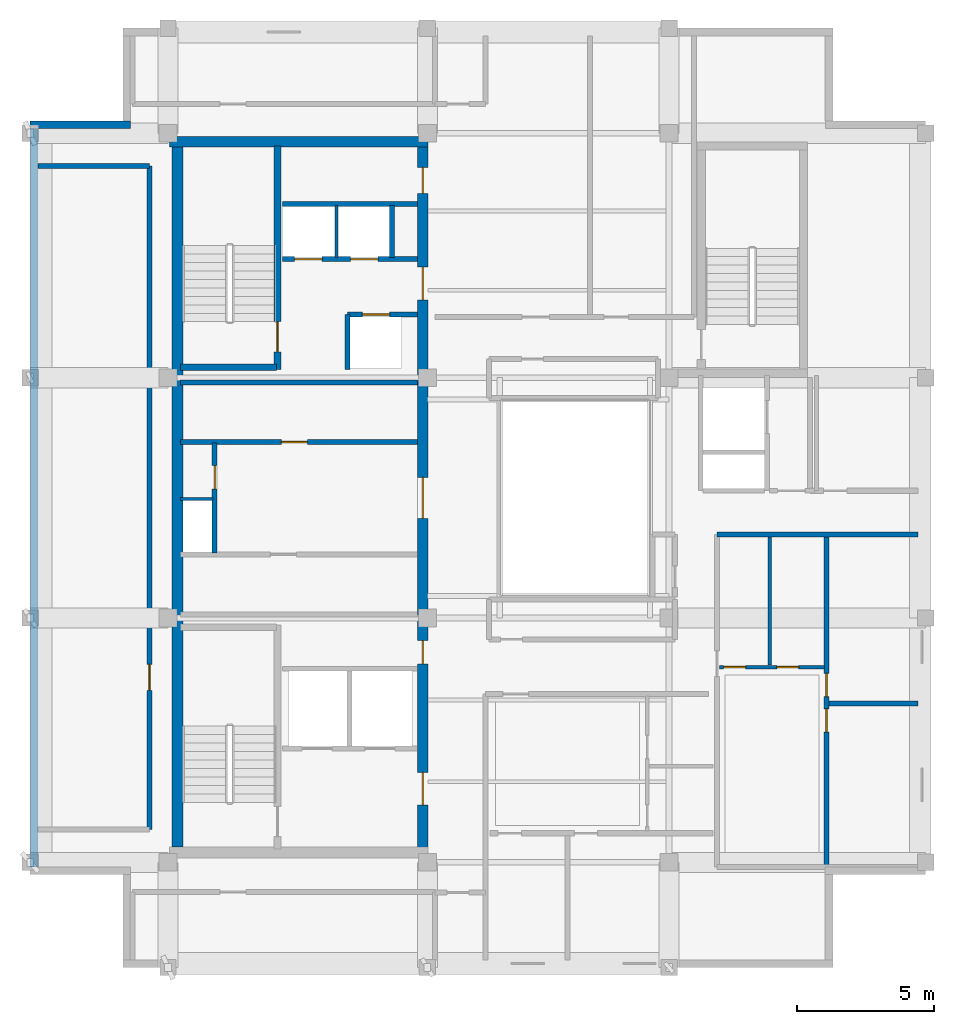
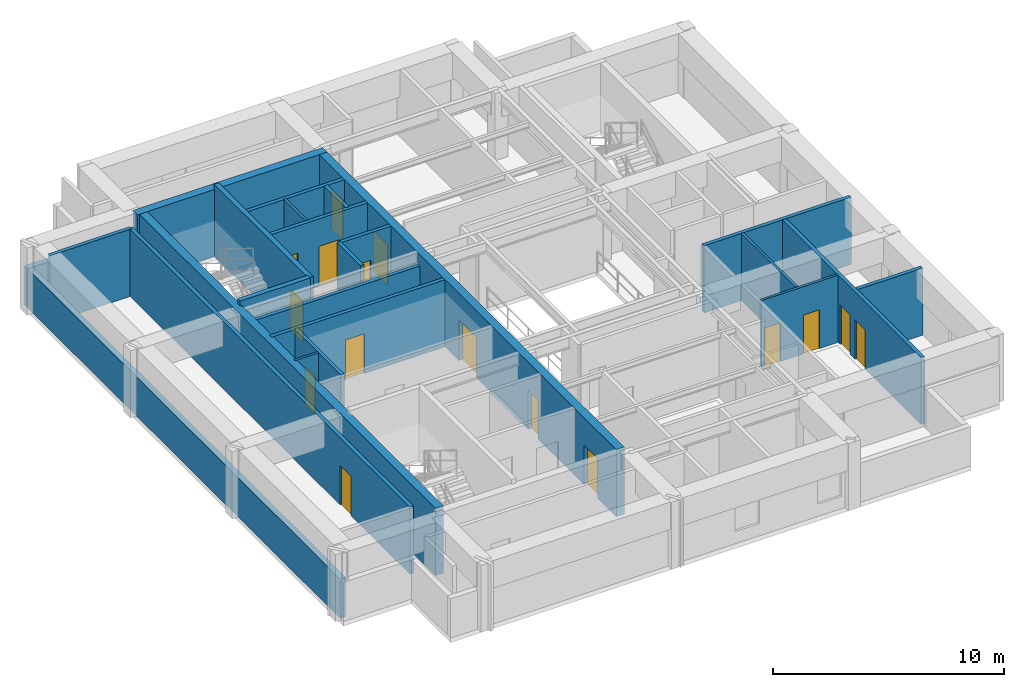
# One storey, part 3 of 6: 24 walls, 16 doors, 16 openings.
"""IFC4 building model written with IfcOpenShell, lengths in metres."""

from ifc_helpers import new_model, si_unit, direction, frame, frame_2d, origin, place, context, subcontext, project, spatial, rectangle, extrude, material, layer, layer_set, type_object, element, fill, save


model = new_model("IFC4")

# Units and contexts
model_context = context("Model", 3, precision=1e-05, world=origin(), true_north=direction((0.0, 1.0)))
body_context = subcontext(model_context, "Body", "Model", "MODEL_VIEW")
ifc_project = project(units=[si_unit("LENGTHUNIT", "METRE"), si_unit("AREAUNIT", "SQUARE_METRE"), si_unit("VOLUMEUNIT", "CUBIC_METRE"), si_unit("PLANEANGLEUNIT", "RADIAN"), si_unit("MASSUNIT", "GRAM", prefix="KILO")], contexts=[model_context])

# Site, building, storey
site_placement = place(None, origin())
site = spatial("IfcSite", under=ifc_project, at=site_placement, CompositionType="ELEMENT")
building_placement = place(site_placement, origin())
building = spatial("IfcBuilding", under=site, at=building_placement, Name="Kundavana Baori Tower", CompositionType="ELEMENT")
storey_placement = place(building_placement, frame((0.0, 0.0, 339.10009765625)))
storey = spatial("IfcBuildingStorey", under=building, at=storey_placement, Name="L84", CompositionType="ELEMENT", Elevation=339.10009765625)

# Walls
ifc_material_1 = material(Name="Concrete C50/60", Category="concrete")
ifc_layer_1 = layer(ifc_material_1, 0.39990234375, Name="WL-CORE-400")
ifc_layer_set_1 = layer_set([ifc_layer_1], Name="Concrete C50/60")
wall_type_1 = type_object("IfcWallType", Name="WL-CORE-400", PredefinedType="SHEAR", material=ifc_layer_set_1)
wall_1_placement = place(storey_placement, frame((15.5, 41.639892578125, 0.0), z_axis=(0.0, 0.0, 1.0), x_axis=(1.0, 0.0, 0.0)))
element("IfcWall", 1, at=wall_1_placement, inside=storey, type_object=wall_type_1, Name="L84 Offset Core North Shear Wall", PredefinedType="SHEAR", context=body_context, shape_type="SweptSolid", body=[
    extrude(rectangle(XDim=9.47998046875, YDim=0.39990234375, at=frame_2d((4.739990234375, 0.0))), origin(), (0.0, 0.0, 1.0), 3.5498046875),
])
wall_2_placement = place(storey_placement, frame((15.7900390625, 15.81005859375, 0.0), z_axis=(0.0, 0.0, 1.0), x_axis=(0.0, 1.0, 0.0)))
element("IfcWall", 2, at=wall_2_placement, inside=storey, type_object=wall_type_1, Name="L84 Offset Core West Shear Wall", PredefinedType="SHEAR", context=body_context, shape_type="SweptSolid", body=[
    extrude(rectangle(XDim=25.6298828125, YDim=0.39990234375, at=frame_2d((12.81494140625, 0.0))), origin(), (0.0, 0.0, 1.0), 3.5498046875),
])

# Wall, openings, doors
wall_3_placement = place(storey_placement, frame((24.780029296875, 15.739990234375, 0.0), z_axis=(0.0, 0.0, 1.0), x_axis=(0.0, 1.0, 0.0)))
wall_3 = element("IfcWall", 3, at=wall_3_placement, inside=storey, type_object=wall_type_1, Name="L84 Offset Core East Shear Wall", PredefinedType="SHEAR", context=body_context, shape_type="SweptSolid", body=[
    extrude(rectangle(XDim=25.760009765625, YDim=0.39990234375, at=frame_2d((12.8798828125, 0.0))), origin(), (0.0, 0.0, 1.0), 3.5498046875),
])
opening_1_placement = place(wall_3_placement, frame((1.610107421875, 0.0, 0.0)))
opening_1 = element("IfcOpeningElement", 4, at=opening_1_placement, cuts=wall_3, Name="Opening FD-120", PredefinedType="OPENING", context=body_context, shape_type="SweptSolid", body=[
    extrude(rectangle(XDim=1.199951171875, YDim=2.10009765625, at=frame_2d((0.60009765625, 1.050048828125))), frame((0.0, 0.2099609375, 0.0), z_axis=(0.0, -1.0, 0.0), x_axis=(1.0, 0.0, 0.0)), (0.0, 0.0, 1.0), 0.419921875),
])
opening_2_placement = place(wall_3_placement, frame((6.780029296875, 0.0, 0.0)))
opening_2 = element("IfcOpeningElement", 5, at=opening_2_placement, cuts=wall_3, Name="Opening FD-085", PredefinedType="OPENING", context=body_context, shape_type="SweptSolid", body=[
    extrude(rectangle(XDim=0.85009765625, YDim=2.06005859375, at=frame_2d((0.425048828125, 1.030029296875))), frame((0.0, 0.2099609375, 0.0), z_axis=(0.0, -1.0, 0.0), x_axis=(1.0, 0.0, 0.0)), (0.0, 0.0, 1.0), 0.419921875),
])
opening_3_placement = place(wall_3_placement, frame((12.110107421875, 0.0, 0.0)))
opening_3 = element("IfcOpeningElement", 6, at=opening_3_placement, cuts=wall_3, Name="Opening FD-150", PredefinedType="OPENING", context=body_context, shape_type="SweptSolid", body=[
    extrude(rectangle(XDim=1.5, YDim=2.1201171875, at=frame_2d((0.75, 1.06005859375))), frame((0.0, 0.2099609375, 0.0), z_axis=(0.0, -1.0, 0.0), x_axis=(1.0, 0.0, 0.0)), (0.0, 0.0, 1.0), 0.419921875),
])
opening_4_placement = place(wall_3_placement, frame((20.110107421875, 0.0, 0.0)))
opening_4 = element("IfcOpeningElement", 7, at=opening_4_placement, cuts=wall_3, Name="Opening FD-122", PredefinedType="OPENING", context=body_context, shape_type="SweptSolid", body=[
    extrude(rectangle(XDim=1.199951171875, YDim=2.1201171875, at=frame_2d((0.60009765625, 1.06005859375))), frame((0.0, 0.2099609375, 0.0), z_axis=(0.0, -1.0, 0.0), x_axis=(1.0, 0.0, 0.0)), (0.0, 0.0, 1.0), 0.419921875),
])
opening_5_placement = place(wall_3_placement, frame((24.010009765625, 0.0, 0.0)))
opening_5 = element("IfcOpeningElement", 8, at=opening_5_placement, cuts=wall_3, Name="Opening FD-095", PredefinedType="OPENING", context=body_context, shape_type="SweptSolid", body=[
    extrude(rectangle(XDim=0.949951171875, YDim=2.10009765625, at=frame_2d((0.47509765625, 1.050048828125))), frame((0.0, 0.2099609375, 0.0), z_axis=(0.0, -1.0, 0.0), x_axis=(1.0, 0.0, 0.0)), (0.0, 0.0, 1.0), 0.419921875),
])
ifc_material_2 = material(Name="Galvanised Steel Fire-Rated Door Leaf", Category="steel")
door_type_1 = type_object("IfcDoorType", Name="DR-FD120-1200", OperationType="NOTDEFINED", PredefinedType="DOOR", material=ifc_material_2)
door_1_placement = place(opening_1_placement, frame((1.199951171875, 0.0, 0.0), z_axis=(0.0, 0.0, 1.0), x_axis=(-1.0, 0.0, 0.0)))
door_1 = element("IfcDoor", 9, at=door_1_placement, inside=storey, type_object=door_type_1, Name="DR-L84-FFLOB-E", OperationType="SINGLE_SWING_RIGHT", OverallHeight=2.10009765625, OverallWidth=1.199951171875, PredefinedType="DOOR", context=body_context, shape_type="SweptSolid", body=[
    extrude(rectangle(XDim=1.199951171875, YDim=2.10009765625, at=frame_2d((0.60009765625, 1.050048828125))), frame((0.0, 0.02490234375, 0.0), z_axis=(0.0, -1.0, 0.0), x_axis=(1.0, 0.0, 0.0)), (0.0, 0.0, 1.0), 0.050048828125),
])
fill(opening_1, door_1)
ifc_material_3 = material(Name="Galvanised Steel Fire-Rated Door Leaf", Category="steel")
door_type_2 = type_object("IfcDoorType", Name="DR-FD60-1200", OperationType="NOTDEFINED", PredefinedType="DOOR", material=ifc_material_3)
door_2_placement = place(opening_4_placement, frame((1.199951171875, 0.0, 0.0), z_axis=(0.0, 0.0, 1.0), x_axis=(-1.0, 0.0, 0.0)))
door_2 = element("IfcDoor", 10, at=door_2_placement, inside=storey, type_object=door_type_2, Name="DR-L84-HRLOB-E", OperationType="SINGLE_SWING_RIGHT", OverallHeight=2.1201171875, OverallWidth=1.199951171875, PredefinedType="DOOR", context=body_context, shape_type="SweptSolid", body=[
    extrude(rectangle(XDim=1.199951171875, YDim=2.1201171875, at=frame_2d((0.60009765625, 1.06005859375))), frame((0.0, 0.02490234375, 0.0), z_axis=(0.0, -1.0, 0.0), x_axis=(1.0, 0.0, 0.0)), (0.0, 0.0, 1.0), 0.050048828125),
])
fill(opening_4, door_2)
ifc_material_4 = material(Name="Galvanised Steel Fire-Rated Door Leaf", Category="steel")
door_type_3 = type_object("IfcDoorType", Name="DR-FD60-1500", OperationType="NOTDEFINED", PredefinedType="DOOR", material=ifc_material_4)
door_3_placement = place(opening_3_placement, frame((1.5, 0.0, 0.0), z_axis=(0.0, 0.0, 1.0), x_axis=(-1.0, 0.0, 0.0)))
door_3 = element("IfcDoor", 11, at=door_3_placement, inside=storey, type_object=door_type_3, Name="DR-L84-LIFTHALL-E", OperationType="SINGLE_SWING_LEFT", OverallHeight=2.1201171875, OverallWidth=1.5, PredefinedType="DOOR", context=body_context, shape_type="SweptSolid", body=[
    extrude(rectangle(XDim=1.5, YDim=2.1201171875, at=frame_2d((0.75, 1.06005859375))), frame((0.0, 0.02490234375, 0.0), z_axis=(0.0, -1.0, 0.0), x_axis=(1.0, 0.0, 0.0)), (0.0, 0.0, 1.0), 0.050048828125),
])
fill(opening_3, door_3)
ifc_material_5 = material(Name="Galvanised Steel Fire-Rated Door Leaf", Category="steel")
door_type_4 = type_object("IfcDoorType", Name="DR-FD60-850", OperationType="NOTDEFINED", PredefinedType="DOOR", material=ifc_material_5)
door_4_placement = place(opening_2_placement, frame((0.85009765625, 0.0, 0.0), z_axis=(0.0, 0.0, 1.0), x_axis=(-1.0, 0.0, 0.0)))
door_4 = element("IfcDoor", 12, at=door_4_placement, inside=storey, type_object=door_type_4, Name="DR-L84-CSMK1", OperationType="SINGLE_SWING_LEFT", OverallHeight=2.06005859375, OverallWidth=0.85009765625, PredefinedType="DOOR", context=body_context, shape_type="SweptSolid", body=[
    extrude(rectangle(XDim=0.85009765625, YDim=2.06005859375, at=frame_2d((0.425048828125, 1.030029296875))), frame((0.0, 0.02490234375, 0.0), z_axis=(0.0, -1.0, 0.0), x_axis=(1.0, 0.0, 0.0)), (0.0, 0.0, 1.0), 0.050048828125),
])
fill(opening_2, door_4)
ifc_material_6 = material(Name="Engineered Teak Fire-Rated Timber Door Leaf", Category="wood")
door_type_5 = type_object("IfcDoorType", Name="DR-FD60-950", OperationType="NOTDEFINED", PredefinedType="DOOR", material=ifc_material_6)
door_5_placement = place(opening_5_placement, frame((0.949951171875, 0.0, 0.0), z_axis=(0.0, 0.0, 1.0), x_axis=(-1.0, 0.0, 0.0)))
door_5 = element("IfcDoor", 13, at=door_5_placement, inside=storey, type_object=door_type_5, Name="DR-L84-CSRV1", OperationType="SINGLE_SWING_LEFT", OverallHeight=2.10009765625, OverallWidth=0.949951171875, PredefinedType="DOOR", context=body_context, shape_type="SweptSolid", body=[
    extrude(rectangle(XDim=0.949951171875, YDim=2.10009765625, at=frame_2d((0.47509765625, 1.050048828125))), frame((0.0, 0.02490234375, 0.0), z_axis=(0.0, -1.0, 0.0), x_axis=(1.0, 0.0, 0.0)), (0.0, 0.0, 1.0), 0.050048828125),
])
fill(opening_5, door_5)

# Wall, opening, door
wall_4_placement = place(storey_placement, frame((19.4599609375, 33.300048828125, 0.0), z_axis=(0.0, 0.0, 1.0), x_axis=(0.0, 1.0, 0.0)))
wall_4 = element("IfcWall", 14, at=wall_4_placement, inside=storey, type_object=wall_type_1, Name="WL-L84-ST2-E", PredefinedType="SHEAR", context=body_context, shape_type="SweptSolid", body=[
    extrude(rectangle(XDim=8.179931640625, YDim=0.239990234375, at=frame_2d((4.08984375, 0.0))), origin(), (0.0, 0.0, 1.0), 3.7998046875),
])
opening_6_placement = place(wall_4_placement, frame((0.64990234375, 0.0, 0.0)))
opening_6 = element("IfcOpeningElement", 15, at=opening_6_placement, cuts=wall_4, Name="Opening FD-110", PredefinedType="OPENING", context=body_context, shape_type="SweptSolid", body=[
    extrude(rectangle(XDim=1.10009765625, YDim=2.10009765625, at=frame_2d((0.550048828125, 1.050048828125))), frame((0.0, 0.1298828125, 0.0), z_axis=(0.0, -1.0, 0.0), x_axis=(1.0, 0.0, 0.0)), (0.0, 0.0, 1.0), 0.260009765625),
])
ifc_material_7 = material(Name="Galvanised Steel Fire-Rated Door Leaf", Category="steel")
door_type_6 = type_object("IfcDoorType", Name="DR-FD120-1100", OperationType="NOTDEFINED", PredefinedType="DOOR", material=ifc_material_7)
door_6_placement = place(opening_6_placement, origin())
door_6 = element("IfcDoor", 16, at=door_6_placement, inside=storey, type_object=door_type_6, Name="DR-L84-ST2", OperationType="SINGLE_SWING_RIGHT", OverallHeight=2.10009765625, OverallWidth=1.10009765625, PredefinedType="DOOR", context=body_context, shape_type="SweptSolid", body=[
    extrude(rectangle(XDim=1.10009765625, YDim=2.10009765625, at=frame_2d((0.550048828125, 1.050048828125))), frame((0.0, 0.02490234375, 0.0), z_axis=(0.0, -1.0, 0.0), x_axis=(1.0, 0.0, 0.0)), (0.0, 0.0, 1.0), 0.050048828125),
])
fill(opening_6, door_6)

# Walls
wall_5_placement = place(storey_placement, frame((15.89990234375, 33.389892578125, 0.0), z_axis=(0.0, 0.0, 1.0), x_axis=(1.0, 0.0, 0.0)))
element("IfcWall", 17, at=wall_5_placement, inside=storey, type_object=wall_type_1, Name="WL-L84-ST2-S", PredefinedType="SHEAR", context=body_context, shape_type="SweptSolid", body=[
    extrude(rectangle(XDim=3.52001953125, YDim=0.239990234375, at=frame_2d((1.760009765625, 0.0))), origin(), (0.0, 0.0, 1.0), 3.7998046875),
])
ifc_material_8 = material(Name="Red-Buff Dholpur Sandstone Cladding on Concrete C40/50", Category="masonry")
ifc_layer_2 = layer(ifc_material_8, 0.280029296875, Name="WL-EXT-SAND-280")
ifc_layer_set_2 = layer_set([ifc_layer_2], Name="Red-Buff Dholpur Sandstone Cladding on Concrete C40/50")
wall_type_2 = type_object("IfcWallType", Name="WL-EXT-SAND-280", PredefinedType="STANDARD", material=ifc_layer_set_2)
wall_6_placement = place(storey_placement, frame((14.080078125, 42.260009765625, 0.0), z_axis=(0.0, 0.0, 1.0), x_axis=(-1.0, 0.0, 0.0)))
element("IfcWall", 18, at=wall_6_placement, inside=storey, type_object=wall_type_2, Name="L84 Exterior Insulated Facade Wall 09", PredefinedType="STANDARD", context=body_context, shape_type="SweptSolid", body=[
    extrude(rectangle(XDim=3.68017578125, YDim=0.280029296875, at=frame_2d((1.840087890625, 0.0))), origin(), (0.0, 0.0, 1.0), 2.06982421875),
])
wall_7_placement = place(storey_placement, frame((10.5400390625, 42.1201171875, 0.0), z_axis=(0.0, 0.0, 1.0), x_axis=(0.0, -1.0, 0.0)))
element("IfcWall", 19, at=wall_7_placement, inside=storey, type_object=wall_type_2, Name="L84 Exterior Insulated Facade Wall 10", PredefinedType="STANDARD", context=body_context, shape_type="SweptSolid", body=[
    extrude(rectangle(XDim=27.0400390625, YDim=0.280029296875, at=frame_2d((13.52001953125, 0.0))), origin(), (0.0, 0.0, 1.0), 2.06982421875),
])
ifc_material_9 = material(Name="Acoustic Gypsum Plasterboard on Galvanised Steel Studs", Category="steel")
ifc_layer_3 = layer(ifc_material_9, 0.1201171875, Name="WL-PART-120")
ifc_layer_set_3 = layer_set([ifc_layer_3], Name="Acoustic Gypsum Plasterboard on Galvanised Steel Studs")
wall_type_3 = type_object("IfcWallType", Name="WL-PART-120", PredefinedType="PARTITIONING", material=ifc_layer_set_3)
wall_8_placement = place(storey_placement, frame((15.89990234375, 28.56005859375, 0.0), z_axis=(0.0, 0.0, 1.0), x_axis=(1.0, 0.0, 0.0)))
element("IfcWall", 20, at=wall_8_placement, inside=storey, type_object=wall_type_3, Name="WL-L84-RSRW-N", PredefinedType="PARTITIONING", context=body_context, shape_type="SweptSolid", body=[
    extrude(rectangle(XDim=1.2001953125, YDim=0.1201171875, at=frame_2d((0.60009765625, 0.0))), origin(), (0.0, 0.0, 1.0), 3.5498046875),
])
wall_9_placement = place(storey_placement, frame((21.6201171875, 37.39990234375, 0.0), z_axis=(0.0, 0.0, 1.0), x_axis=(0.0, 1.0, 0.0)))
element("IfcWall", 21, at=wall_9_placement, inside=storey, type_object=wall_type_3, Name="WL-L84-HR-DIV1", PredefinedType="PARTITIONING", context=body_context, shape_type="SweptSolid", body=[
    extrude(rectangle(XDim=1.900146484375, YDim=0.1201171875, at=frame_2d((0.9501953125, 0.0))), origin(), (0.0, 0.0, 1.0), 3.5498046875),
])

# Wall, opening, door
ifc_material_10 = material(Name="Autoclaved Aerated Concrete Blockwork Masonry", Category="masonry")
ifc_layer_4 = layer(ifc_material_10, 0.18505859375, Name="WL-PART-180")
ifc_layer_set_4 = layer_set([ifc_layer_4], Name="Autoclaved Aerated Concrete Blockwork Masonry")
wall_type_4 = type_object("IfcWallType", Name="WL-PART-180", PredefinedType="SOLIDWALL", material=ifc_layer_set_4)
wall_10_placement = place(storey_placement, frame((14.77001953125, 16.449951171875, 0.0), z_axis=(0.0, 0.0, 1.0), x_axis=(0.0, 1.0, 0.0)))
wall_10 = element("IfcWall", 22, at=wall_10_placement, inside=storey, type_object=wall_type_4, Name="WL-L84-RW", PredefinedType="SOLIDWALL", context=body_context, shape_type="SweptSolid", body=[
    extrude(rectangle(XDim=24.300048828125, YDim=0.18505859375, at=frame_2d((12.14990234375, 0.0))), origin(), (0.0, 0.0, 1.0), 3.5498046875),
])
opening_7_placement = place(wall_10_placement, frame((5.10009765625, 0.0, 0.0)))
opening_7 = element("IfcOpeningElement", 23, at=opening_7_placement, cuts=wall_10, Name="Opening ID-095", PredefinedType="OPENING", context=body_context, shape_type="SweptSolid", body=[
    extrude(rectangle(XDim=0.949951171875, YDim=2.080078125, at=frame_2d((0.47509765625, 1.0400390625))), frame((0.0, 0.1025390625, 0.0), z_axis=(0.0, -1.0, 0.0), x_axis=(1.0, 0.0, 0.0)), (0.0, 0.0, 1.0), 0.205078125),
])
ifc_material_11 = material(Name="Engineered Teak Solid-Core Timber Veneer", Category="wood")
door_type_7 = type_object("IfcDoorType", Name="DR-INT-950", OperationType="NOTDEFINED", PredefinedType="DOOR", material=ifc_material_11)
door_7_placement = place(opening_7_placement, origin())
door_7 = element("IfcDoor", 24, at=door_7_placement, inside=storey, type_object=door_type_7, Name="DR-L84-RLNGW", OperationType="SINGLE_SWING_LEFT", OverallHeight=2.080078125, OverallWidth=0.949951171875, PredefinedType="DOOR", context=body_context, shape_type="SweptSolid", body=[
    extrude(rectangle(XDim=0.949951171875, YDim=2.080078125, at=frame_2d((0.47509765625, 1.0400390625))), frame((0.0, 0.02490234375, 0.0), z_axis=(0.0, -1.0, 0.0), x_axis=(1.0, 0.0, 0.0)), (0.0, 0.0, 1.0), 0.050048828125),
])
fill(opening_7, door_7)

# Walls
wall_11_placement = place(storey_placement, frame((10.679931640625, 40.75, 0.0), z_axis=(0.0, 0.0, 1.0), x_axis=(1.0, 0.0, 0.0)))
element("IfcWall", 25, at=wall_11_placement, inside=storey, type_object=wall_type_4, Name="WL-L84-RWN", PredefinedType="SOLIDWALL", context=body_context, shape_type="SweptSolid", body=[
    extrude(rectangle(XDim=4.090087890625, YDim=0.18505859375, at=frame_2d((2.044921875, 0.0))), origin(), (0.0, 0.0, 1.0), 3.5498046875),
])
wall_12_placement = place(storey_placement, frame((35.56005859375, 27.25, 0.0), z_axis=(0.0, 0.0, 1.0), x_axis=(1.0, 0.0, 0.0)))
element("IfcWall", 26, at=wall_12_placement, inside=storey, type_object=wall_type_4, Name="WL-L84-CSEN", PredefinedType="SOLIDWALL", context=body_context, shape_type="SweptSolid", body=[
    extrude(rectangle(XDim=7.35986328125, YDim=0.18505859375, at=frame_2d((3.679931640625, 0.0))), origin(), (0.0, 0.0, 1.0), 3.5498046875),
])

# Wall, openings, doors
wall_13_placement = place(storey_placement, frame((39.571044921875, 15.159912109375, 0.0), z_axis=(0.0, 0.0, 1.0), x_axis=(0.0, 1.0, 0.0)))
wall_13 = element("IfcWall", 27, at=wall_13_placement, inside=storey, type_object=wall_type_4, Name="WL-L84-SE1-VT", PredefinedType="SOLIDWALL", context=body_context, shape_type="SweptSolid", body=[
    extrude(rectangle(XDim=12.010009765625, YDim=0.18505859375, at=frame_2d((6.0048828125, 0.0))), origin(), (0.0, 0.0, 1.0), 3.5498046875),
])
opening_8_placement = place(wall_13_placement, frame((4.860107421875, 0.0, 0.0)))
opening_8 = element("IfcOpeningElement", 28, at=opening_8_placement, cuts=wall_13, Name="Opening ID-085", PredefinedType="OPENING", context=body_context, shape_type="SweptSolid", body=[
    extrude(rectangle(XDim=0.85009765625, YDim=2.080078125, at=frame_2d((0.425048828125, 1.0400390625))), frame((0.0, 0.1025390625, 0.0), z_axis=(0.0, -1.0, 0.0), x_axis=(1.0, 0.0, 0.0)), (0.0, 0.0, 1.0), 0.205078125),
])
opening_9_placement = place(wall_13_placement, frame((6.159912109375, 0.0, 0.0)))
opening_9 = element("IfcOpeningElement", 29, at=opening_9_placement, cuts=wall_13, Name="Opening ID-085", PredefinedType="OPENING", context=body_context, shape_type="SweptSolid", body=[
    extrude(rectangle(XDim=0.85009765625, YDim=2.080078125, at=frame_2d((0.425048828125, 1.0400390625))), frame((0.0, 0.1025390625, 0.0), z_axis=(0.0, -1.0, 0.0), x_axis=(1.0, 0.0, 0.0)), (0.0, 0.0, 1.0), 0.205078125),
])
ifc_material_12 = material(Name="Engineered Teak Solid-Core Timber Veneer", Category="wood")
door_type_8 = type_object("IfcDoorType", Name="DR-INT-850", OperationType="NOTDEFINED", PredefinedType="DOOR", material=ifc_material_12)
door_8_placement = place(opening_8_placement, origin())
door_8 = element("IfcDoor", 30, at=door_8_placement, inside=storey, type_object=door_type_8, Name="DR-L84-SE1-B1", OperationType="SINGLE_SWING_LEFT", OverallHeight=2.080078125, OverallWidth=0.85009765625, PredefinedType="DOOR", context=body_context, shape_type="SweptSolid", body=[
    extrude(rectangle(XDim=0.85009765625, YDim=2.080078125, at=frame_2d((0.425048828125, 1.0400390625))), frame((0.0, 0.02490234375, 0.0), z_axis=(0.0, -1.0, 0.0), x_axis=(1.0, 0.0, 0.0)), (0.0, 0.0, 1.0), 0.050048828125),
])
fill(opening_8, door_8)
door_9_placement = place(opening_9_placement, origin())
door_9 = element("IfcDoor", 31, at=door_9_placement, inside=storey, type_object=door_type_8, Name="DR-L84-SE1-B2", OperationType="SINGLE_SWING_RIGHT", OverallHeight=2.080078125, OverallWidth=0.85009765625, PredefinedType="DOOR", context=body_context, shape_type="SweptSolid", body=[
    extrude(rectangle(XDim=0.85009765625, YDim=2.080078125, at=frame_2d((0.425048828125, 1.0400390625))), frame((0.0, 0.02490234375, 0.0), z_axis=(0.0, -1.0, 0.0), x_axis=(1.0, 0.0, 0.0)), (0.0, 0.0, 1.0), 0.050048828125),
])
fill(opening_9, door_9)

# Wall
wall_14_placement = place(storey_placement, frame((39.65087890625, 21.070068359375, 0.0), z_axis=(0.0, 0.0, 1.0), x_axis=(1.0, 0.0, 0.0)))
element("IfcWall", 32, at=wall_14_placement, inside=storey, type_object=wall_type_4, Name="WL-L84-SE1-BDH", PredefinedType="SOLIDWALL", context=body_context, shape_type="SweptSolid", body=[
    extrude(rectangle(XDim=3.26904296875, YDim=0.18505859375, at=frame_2d((1.634521484375, 0.0))), origin(), (0.0, 0.0, 1.0), 3.5498046875),
])

# Wall, opening, door
ifc_material_13 = material(Name="Autoclaved Aerated Concrete Blockwork Masonry", Category="masonry")
ifc_layer_5 = layer(ifc_material_13, 0.179931640625, Name="WL-SHAFT-180")
ifc_layer_set_5 = layer_set([ifc_layer_5], Name="Autoclaved Aerated Concrete Blockwork Masonry")
wall_type_5 = type_object("IfcWallType", Name="WL-SHAFT-180", PredefinedType="SOLIDWALL", material=ifc_layer_set_5)
wall_15_placement = place(storey_placement, frame((17.159912109375, 26.580078125, 0.0), z_axis=(0.0, 0.0, 1.0), x_axis=(0.0, 1.0, 0.0)))
wall_15 = element("IfcWall", 33, at=wall_15_placement, inside=storey, type_object=wall_type_5, Name="WL-L84-RSRW-E", PredefinedType="SOLIDWALL", context=body_context, shape_type="SweptSolid", body=[
    extrude(rectangle(XDim=4.02001953125, YDim=0.179931640625, at=frame_2d((2.010009765625, 0.0))), origin(), (0.0, 0.0, 1.0), 3.5498046875),
])
opening_10_placement = place(wall_15_placement, frame((2.35009765625, 0.0, 0.0)))
opening_10 = element("IfcOpeningElement", 34, at=opening_10_placement, cuts=wall_15, Name="Opening FD-085", PredefinedType="OPENING", context=body_context, shape_type="SweptSolid", body=[
    extrude(rectangle(XDim=0.85009765625, YDim=2.06005859375, at=frame_2d((0.425048828125, 1.030029296875))), frame((0.0, 0.10009765625, 0.0), z_axis=(0.0, -1.0, 0.0), x_axis=(1.0, 0.0, 0.0)), (0.0, 0.0, 1.0), 0.199951171875),
])
door_10_placement = place(opening_10_placement, origin())
door_10 = element("IfcDoor", 35, at=door_10_placement, inside=storey, type_object=door_type_4, Name="DR-L84-CLN", OperationType="SINGLE_SWING_RIGHT", OverallHeight=2.06005859375, OverallWidth=0.85009765625, PredefinedType="DOOR", context=body_context, shape_type="SweptSolid", body=[
    extrude(rectangle(XDim=0.85009765625, YDim=2.06005859375, at=frame_2d((0.425048828125, 1.030029296875))), frame((0.0, 0.02490234375, 0.0), z_axis=(0.0, -1.0, 0.0), x_axis=(1.0, 0.0, 0.0)), (0.0, 0.0, 1.0), 0.050048828125),
])
fill(opening_10, door_10)

wall_16_placement = place(storey_placement, frame((15.89990234375, 30.639892578125, 0.0), z_axis=(0.0, 0.0, 1.0), x_axis=(1.0, 0.0, 0.0)))
wall_16 = element("IfcWall", 36, at=wall_16_placement, inside=storey, type_object=wall_type_5, Name="WL-L84-LPMID-S", PredefinedType="SOLIDWALL", context=body_context, shape_type="SweptSolid", body=[
    extrude(rectangle(XDim=8.68017578125, YDim=0.179931640625, at=frame_2d((4.340087890625, 0.0))), origin(), (0.0, 0.0, 1.0), 3.5498046875),
])
opening_11_placement = place(wall_16_placement, frame((3.699951171875, 0.0, 0.0)))
opening_11 = element("IfcOpeningElement", 37, at=opening_11_placement, cuts=wall_16, Name="Opening FD-095", PredefinedType="OPENING", context=body_context, shape_type="SweptSolid", body=[
    extrude(rectangle(XDim=0.949951171875, YDim=2.10009765625, at=frame_2d((0.47509765625, 1.050048828125))), frame((0.0, 0.10009765625, 0.0), z_axis=(0.0, -1.0, 0.0), x_axis=(1.0, 0.0, 0.0)), (0.0, 0.0, 1.0), 0.199951171875),
])
door_11_placement = place(opening_11_placement, frame((0.949951171875, 0.0, 0.0), z_axis=(0.0, 0.0, 1.0), x_axis=(-1.0, 0.0, 0.0)))
door_11 = element("IfcDoor", 38, at=door_11_placement, inside=storey, type_object=door_type_5, Name="DR-L84-FRMID1", OperationType="SINGLE_SWING_RIGHT", OverallHeight=2.10009765625, OverallWidth=0.949951171875, PredefinedType="DOOR", context=body_context, shape_type="SweptSolid", body=[
    extrude(rectangle(XDim=0.949951171875, YDim=2.10009765625, at=frame_2d((0.47509765625, 1.050048828125))), frame((0.0, 0.02490234375, 0.0), z_axis=(0.0, -1.0, 0.0), x_axis=(1.0, 0.0, 0.0)), (0.0, 0.0, 1.0), 0.050048828125),
])
fill(opening_11, door_11)

# Wall
wall_17_placement = place(storey_placement, frame((15.89990234375, 32.820068359375, 0.0), z_axis=(0.0, 0.0, 1.0), x_axis=(1.0, 0.0, 0.0)))
element("IfcWall", 39, at=wall_17_placement, inside=storey, type_object=wall_type_5, Name="WL-L84-LPMID-N", PredefinedType="SOLIDWALL", context=body_context, shape_type="SweptSolid", body=[
    extrude(rectangle(XDim=8.68017578125, YDim=0.179931640625, at=frame_2d((4.340087890625, 0.0))), origin(), (0.0, 0.0, 1.0), 2.949951171875),
])

# Wall, opening, door
wall_18_placement = place(storey_placement, frame((22.02001953125, 35.31005859375, 0.0), z_axis=(0.0, 0.0, 1.0), x_axis=(1.0, 0.0, 0.0)))
wall_18 = element("IfcWall", 40, at=wall_18_placement, inside=storey, type_object=wall_type_5, Name="WL-L84-LP11-N", PredefinedType="SOLIDWALL", context=body_context, shape_type="SweptSolid", body=[
    extrude(rectangle(XDim=2.56005859375, YDim=0.179931640625, at=frame_2d((1.280029296875, 0.0))), origin(), (0.0, 0.0, 1.0), 3.5498046875),
])
opening_12_placement = place(wall_18_placement, frame((0.550048828125, 0.0, 0.0)))
opening_12 = element("IfcOpeningElement", 41, at=opening_12_placement, cuts=wall_18, Name="Opening LD-100", PredefinedType="OPENING", context=body_context, shape_type="SweptSolid", body=[
    extrude(rectangle(XDim=1.0, YDim=2.10009765625, at=frame_2d((0.5, 1.050048828125))), frame((0.0, 0.10009765625, 0.0), z_axis=(0.0, -1.0, 0.0), x_axis=(1.0, 0.0, 0.0)), (0.0, 0.0, 1.0), 0.199951171875),
])
ifc_material_14 = material(Name="Galvanised Steel Fire-Rated Door Leaf", Category="steel")
door_type_9 = type_object("IfcDoorType", Name="DR-SLIDE-LD1000", OperationType="NOTDEFINED", PredefinedType="DOOR", material=ifc_material_14)
door_12_placement = place(opening_12_placement, origin())
door_12 = element("IfcDoor", 42, at=door_12_placement, inside=storey, type_object=door_type_9, Name="DR-L84-LD-LP11", OperationType="DOUBLE_DOOR_SLIDING", OverallHeight=2.10009765625, OverallWidth=1.0, PredefinedType="DOOR", context=body_context, shape_type="SweptSolid", body=[
    extrude(rectangle(XDim=1.0, YDim=2.10009765625, at=frame_2d((0.5, 1.050048828125))), frame((0.0, 0.02490234375, 0.0), z_axis=(0.0, -1.0, 0.0), x_axis=(1.0, 0.0, 0.0)), (0.0, 0.0, 1.0), 0.050048828125),
])
fill(opening_12, door_12)

# Wall
wall_19_placement = place(storey_placement, frame((22.02001953125, 33.300048828125, 0.0), z_axis=(0.0, 0.0, 1.0), x_axis=(0.0, 1.0, 0.0)))
element("IfcWall", 43, at=wall_19_placement, inside=storey, type_object=wall_type_5, Name="WL-L84-LP11-W", PredefinedType="SOLIDWALL", context=body_context, shape_type="SweptSolid", body=[
    extrude(rectangle(XDim=2.010009765625, YDim=0.179931640625, at=frame_2d((1.0048828125, 0.0))), origin(), (0.0, 0.0, 1.0), 3.5498046875),
])

# Wall, openings, doors
wall_20_placement = place(storey_placement, frame((19.639892578125, 37.340087890625, 0.0), z_axis=(0.0, 0.0, 1.0), x_axis=(1.0, 0.0, 0.0)))
wall_20 = element("IfcWall", 44, at=wall_20_placement, inside=storey, type_object=wall_type_5, Name="WL-L84-HRLOB-N", PredefinedType="SOLIDWALL", context=body_context, shape_type="SweptSolid", body=[
    extrude(rectangle(XDim=4.940185546875, YDim=0.179931640625, at=frame_2d((2.47021484375, 0.0))), origin(), (0.0, 0.0, 1.0), 3.5498046875),
])
opening_13_placement = place(wall_20_placement, frame((0.449951171875, 0.0, 0.0)))
opening_13 = element("IfcOpeningElement", 45, at=opening_13_placement, cuts=wall_20, Name="Opening LD-100", PredefinedType="OPENING", context=body_context, shape_type="SweptSolid", body=[
    extrude(rectangle(XDim=1.0, YDim=2.10009765625, at=frame_2d((0.5, 1.050048828125))), frame((0.0, 0.10009765625, 0.0), z_axis=(0.0, -1.0, 0.0), x_axis=(1.0, 0.0, 0.0)), (0.0, 0.0, 1.0), 0.199951171875),
])
opening_14_placement = place(wall_20_placement, frame((2.5, 0.0, 0.0)))
opening_14 = element("IfcOpeningElement", 46, at=opening_14_placement, cuts=wall_20, Name="Opening LD-100", PredefinedType="OPENING", context=body_context, shape_type="SweptSolid", body=[
    extrude(rectangle(XDim=1.0, YDim=2.10009765625, at=frame_2d((0.5, 1.050048828125))), frame((0.0, 0.10009765625, 0.0), z_axis=(0.0, -1.0, 0.0), x_axis=(1.0, 0.0, 0.0)), (0.0, 0.0, 1.0), 0.199951171875),
])
door_13_placement = place(opening_13_placement, frame((1.0, 0.0, 0.0), z_axis=(0.0, 0.0, 1.0), x_axis=(-1.0, 0.0, 0.0)))
door_13 = element("IfcDoor", 47, at=door_13_placement, inside=storey, type_object=door_type_9, Name="DR-L84-LD-LP09", OperationType="DOUBLE_DOOR_SLIDING", OverallHeight=2.10009765625, OverallWidth=1.0, PredefinedType="DOOR", context=body_context, shape_type="SweptSolid", body=[
    extrude(rectangle(XDim=1.0, YDim=2.10009765625, at=frame_2d((0.5, 1.050048828125))), frame((0.0, 0.02490234375, 0.0), z_axis=(0.0, -1.0, 0.0), x_axis=(1.0, 0.0, 0.0)), (0.0, 0.0, 1.0), 0.050048828125),
])
fill(opening_13, door_13)
door_14_placement = place(opening_14_placement, frame((1.0, 0.0, 0.0), z_axis=(0.0, 0.0, 1.0), x_axis=(-1.0, 0.0, 0.0)))
door_14 = element("IfcDoor", 48, at=door_14_placement, inside=storey, type_object=door_type_9, Name="DR-L84-LD-LP10", OperationType="DOUBLE_DOOR_SLIDING", OverallHeight=2.10009765625, OverallWidth=1.0, PredefinedType="DOOR", context=body_context, shape_type="SweptSolid", body=[
    extrude(rectangle(XDim=1.0, YDim=2.10009765625, at=frame_2d((0.5, 1.050048828125))), frame((0.0, 0.02490234375, 0.0), z_axis=(0.0, -1.0, 0.0), x_axis=(1.0, 0.0, 0.0)), (0.0, 0.0, 1.0), 0.050048828125),
])
fill(opening_14, door_14)

# Walls
wall_21_placement = place(storey_placement, frame((19.639892578125, 39.360107421875, 0.0), z_axis=(0.0, 0.0, 1.0), x_axis=(1.0, 0.0, 0.0)))
element("IfcWall", 49, at=wall_21_placement, inside=storey, type_object=wall_type_5, Name="WL-L84-HRLOB-TOP", PredefinedType="SOLIDWALL", context=body_context, shape_type="SweptSolid", body=[
    extrude(rectangle(XDim=4.940185546875, YDim=0.179931640625, at=frame_2d((2.47021484375, 0.0))), origin(), (0.0, 0.0, 1.0), 3.5498046875),
])
wall_22_placement = place(storey_placement, frame((23.659912109375, 37.39990234375, 0.0), z_axis=(0.0, 0.0, 1.0), x_axis=(0.0, 1.0, 0.0)))
element("IfcWall", 50, at=wall_22_placement, inside=storey, type_object=wall_type_5, Name="WL-L84-HR-DIV2", PredefinedType="SOLIDWALL", context=body_context, shape_type="SweptSolid", body=[
    extrude(rectangle(XDim=1.900146484375, YDim=0.179931640625, at=frame_2d((0.9501953125, 0.0))), origin(), (0.0, 0.0, 1.0), 3.5498046875),
])

# Wall, openings, doors
ifc_material_15 = material(Name="Autoclaved Aerated Concrete Blockwork Masonry", Category="masonry")
ifc_layer_6 = layer(ifc_material_15, 0.125, Name="WL-WET-120")
ifc_layer_set_6 = layer_set([ifc_layer_6], Name="Autoclaved Aerated Concrete Blockwork Masonry")
wall_type_6 = type_object("IfcWallType", Name="WL-WET-120", PredefinedType="PLUMBINGWALL", material=ifc_layer_set_6)
wall_23_placement = place(storey_placement, frame((35.639892578125, 22.39990234375, 0.0), z_axis=(0.0, 0.0, 1.0), x_axis=(1.0, 0.0, 0.0)))
wall_23 = element("IfcWall", 51, at=wall_23_placement, inside=storey, type_object=wall_type_6, Name="WL-L84-SE1-KH", PredefinedType="PLUMBINGWALL", context=body_context, shape_type="SweptSolid", body=[
    extrude(rectangle(XDim=3.85107421875, YDim=0.125, at=frame_2d((1.925537109375, 0.0))), origin(), (0.0, 0.0, 1.0), 3.5498046875),
])
opening_15_placement = place(wall_23_placement, frame((0.159912109375, 0.0, 0.0)))
opening_15 = element("IfcOpeningElement", 52, at=opening_15_placement, cuts=wall_23, Name="Opening WD-080", PredefinedType="OPENING", context=body_context, shape_type="SweptSolid", body=[
    extrude(rectangle(XDim=0.800048828125, YDim=2.050048828125, at=frame_2d((0.39990234375, 1.02490234375))), frame((0.0, 0.072509765625, 0.0), z_axis=(0.0, -1.0, 0.0), x_axis=(1.0, 0.0, 0.0)), (0.0, 0.0, 1.0), 0.14501953125),
])
opening_16_placement = place(wall_23_placement, frame((2.10791015625, 0.0, 0.0)))
opening_16 = element("IfcOpeningElement", 53, at=opening_16_placement, cuts=wall_23, Name="Opening WD-080", PredefinedType="OPENING", context=body_context, shape_type="SweptSolid", body=[
    extrude(rectangle(XDim=0.800048828125, YDim=2.050048828125, at=frame_2d((0.39990234375, 1.02490234375))), frame((0.0, 0.072509765625, 0.0), z_axis=(0.0, -1.0, 0.0), x_axis=(1.0, 0.0, 0.0)), (0.0, 0.0, 1.0), 0.14501953125),
])
ifc_material_16 = material(Name="Engineered Teak Solid-Core Timber Veneer", Category="wood")
door_type_10 = type_object("IfcDoorType", Name="DR-WET-800", OperationType="NOTDEFINED", PredefinedType="DOOR", material=ifc_material_16)
door_15_placement = place(opening_15_placement, origin())
door_15 = element("IfcDoor", 54, at=door_15_placement, inside=storey, type_object=door_type_10, Name="DR-L84-SE1-BT", OperationType="SINGLE_SWING_LEFT", OverallHeight=2.050048828125, OverallWidth=0.800048828125, PredefinedType="DOOR", context=body_context, shape_type="SweptSolid", body=[
    extrude(rectangle(XDim=0.800048828125, YDim=2.050048828125, at=frame_2d((0.39990234375, 1.02490234375))), frame((0.0, 0.02490234375, 0.0), z_axis=(0.0, -1.0, 0.0), x_axis=(1.0, 0.0, 0.0)), (0.0, 0.0, 1.0), 0.050048828125),
])
fill(opening_15, door_15)
door_16_placement = place(opening_16_placement, origin())
door_16 = element("IfcDoor", 55, at=door_16_placement, inside=storey, type_object=door_type_10, Name="DR-L84-SE1-KT", OperationType="SINGLE_SWING_RIGHT", OverallHeight=2.050048828125, OverallWidth=0.800048828125, PredefinedType="DOOR", context=body_context, shape_type="SweptSolid", body=[
    extrude(rectangle(XDim=0.800048828125, YDim=2.050048828125, at=frame_2d((0.39990234375, 1.02490234375))), frame((0.0, 0.02490234375, 0.0), z_axis=(0.0, -1.0, 0.0), x_axis=(1.0, 0.0, 0.0)), (0.0, 0.0, 1.0), 0.050048828125),
])
fill(opening_16, door_16)

# Wall
wall_24_placement = place(storey_placement, frame((37.488037109375, 22.47998046875, 0.0), z_axis=(0.0, 0.0, 1.0), x_axis=(0.0, 1.0, 0.0)))
element("IfcWall", 56, at=wall_24_placement, inside=storey, type_object=wall_type_6, Name="WL-L84-SE1-BV", PredefinedType="PLUMBINGWALL", context=body_context, shape_type="SweptSolid", body=[
    extrude(rectangle(XDim=4.68994140625, YDim=0.125, at=frame_2d((2.344970703125, 0.0))), origin(), (0.0, 0.0, 1.0), 3.5498046875),
])

save(model, "model.ifc")
